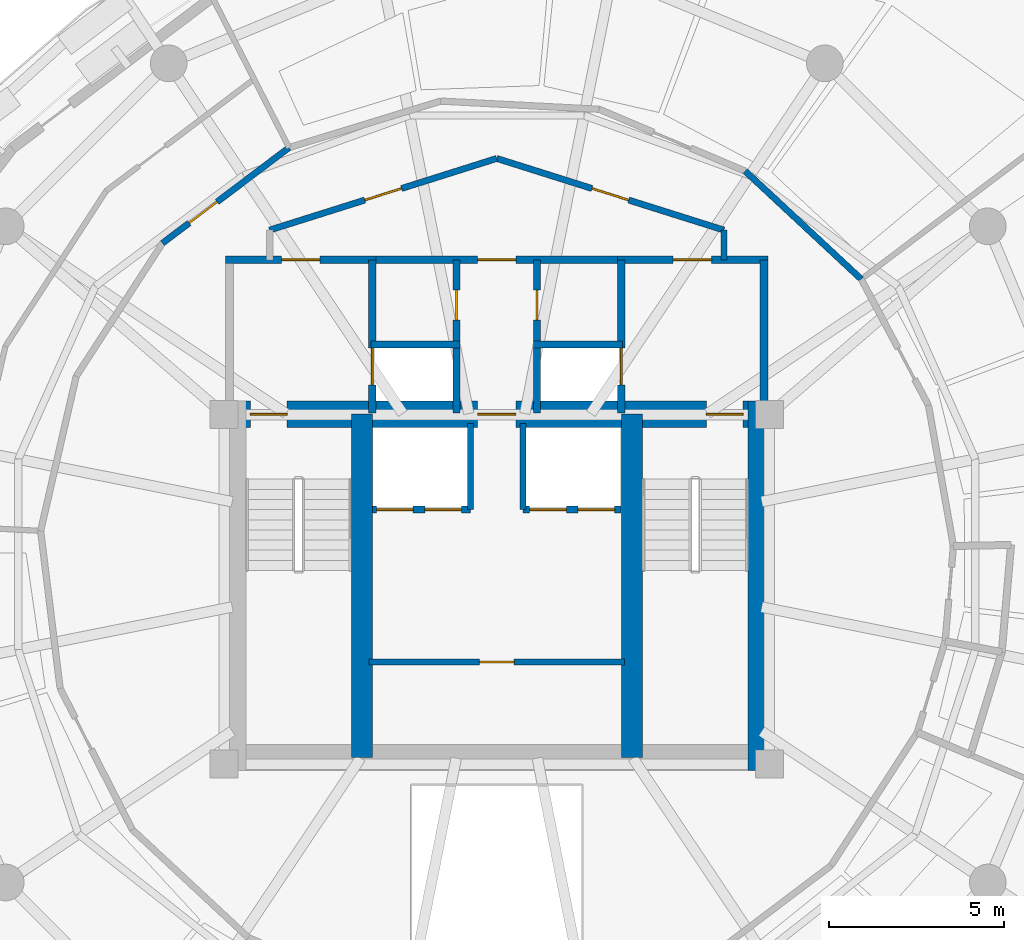
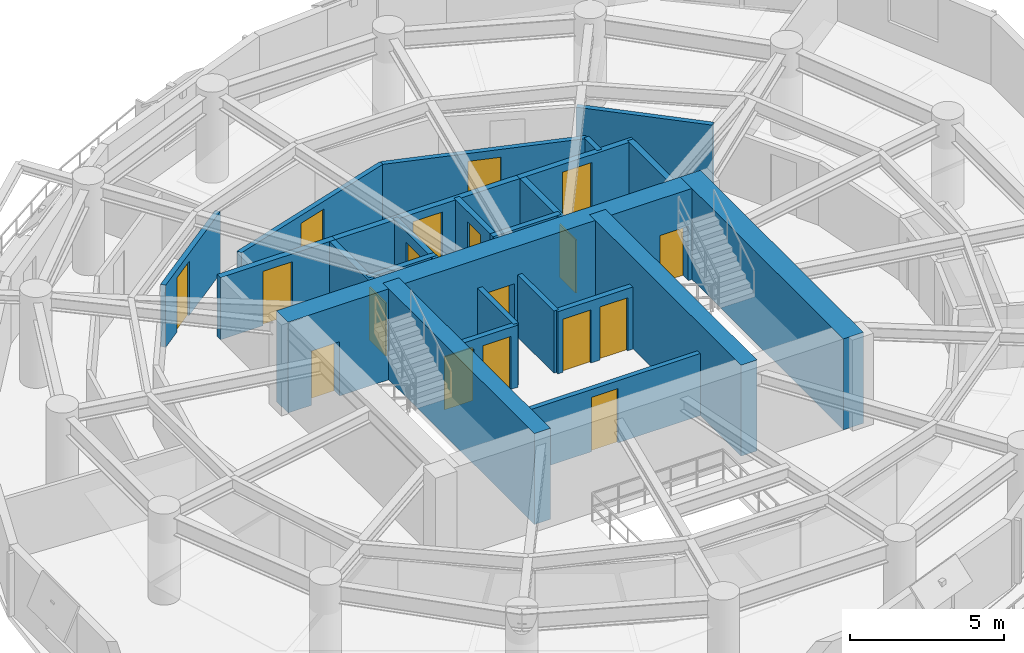
# One storey, part 8 of 12: 24 walls, 18 doors, 18 openings.
"""IFC4 building model written with IfcOpenShell, lengths in metres."""

import ifcopenshell
import ifcopenshell.guid

model = None  # the IFC model being written
_history = None  # IfcOwnerHistory: only IFC2X3 demands one
_inside = {}  # id of a spatial element -> (the spatial element, [elements in it])
_under = {}  # id of a project, library or spatial element -> (it, [spatial elements below it])
_declared = {}  # id of a project -> (the project, [libraries it declares])
_typed = {}  # id of a type object -> (the type object, [elements of that type])
_made_of = {}  # id of a material, layer set ... -> (it, [elements and type objects made of it])


def new_model(schema):
    """Start an empty IFC model of exactly this schema.

    Asked for "IFC4X3", IfcOpenShell would pick the latest addendum, in which some entities
    have other attributes; the version numbers below select the first issue.
    IFC2X3 requires an IfcOwnerHistory on every rooted entity: one is made here for all.
    """
    global model, _history
    if schema == "IFC4X3":
        model = ifcopenshell.file(schema_version=(4, 3, 0, 0))
    else:
        model = ifcopenshell.file(schema=schema)
    _inside.clear()
    _under.clear()
    _declared.clear()
    _typed.clear()
    _made_of.clear()
    _history = None
    if model.schema == "IFC2X3":
        org = make("IfcOrganization", Name="unknown")
        user = make(
            "IfcPersonAndOrganization",
            ThePerson=make("IfcPerson", FamilyName="unknown"),
            TheOrganization=org,
        )
        app = make(
            "IfcApplication",
            ApplicationDeveloper=org,
            Version="unknown",
            ApplicationFullName="unknown",
            ApplicationIdentifier="unknown",
        )
        _history = make(
            "IfcOwnerHistory",
            OwningUser=user,
            OwningApplication=app,
            ChangeAction="ADDED",
            CreationDate=0,
        )
    return model


def make(cls, **values):
    """One entity of the class cls with the attributes given. An attribute that is None is left unset."""
    return model.create_entity(
        cls, **{name: value for name, value in values.items() if value is not None}
    )


def rooted(cls, **values):
    """An entity with a GlobalId (a new one), such as an element, a storey or a relation."""
    return make(cls, GlobalId=ifcopenshell.guid.new(), OwnerHistory=_history, **values)


def si_unit(unit_type, name, prefix=None):
    """IfcSIUnit, for example si_unit("LENGTHUNIT", "METRE", prefix="MILLI")."""
    return make("IfcSIUnit", UnitType=unit_type, Prefix=prefix, Name=name)


def assignment(units):
    """IfcUnitAssignment: the units of a project."""
    return None if units is None else make("IfcUnitAssignment", Units=units)


def point(xyz):
    """IfcCartesianPoint."""
    return None if xyz is None else make("IfcCartesianPoint", Coordinates=xyz)


def direction(xyz):
    """IfcDirection."""
    return None if xyz is None else make("IfcDirection", DirectionRatios=xyz)


def frame(location, z_axis=None, x_axis=None):
    """IfcAxis2Placement3D, a coordinate frame: its origin and axes. An axis left out is left unset."""
    return make(
        "IfcAxis2Placement3D",
        Location=point(location),
        Axis=direction(z_axis),
        RefDirection=direction(x_axis),
    )


def frame_2d(location, x_axis=None):
    """IfcAxis2Placement2D, a coordinate frame in the plane: its origin and x axis."""
    return make(
        "IfcAxis2Placement2D", Location=point(location), RefDirection=direction(x_axis)
    )


def origin():
    """The frame at (0, 0, 0) with its axes left unset."""
    return frame((0.0, 0.0, 0.0))


def place(relative_to, where):
    """IfcLocalPlacement: puts the frame where relative to a parent placement (None: the world)."""
    return make(
        "IfcLocalPlacement", PlacementRelTo=relative_to, RelativePlacement=where
    )


def context(
    kind, dimensions, precision=None, world=None, true_north=None, identifier=None
):
    """IfcGeometricRepresentationContext, for example the 3D "Model" context."""
    return make(
        "IfcGeometricRepresentationContext",
        ContextIdentifier=identifier,
        ContextType=kind,
        CoordinateSpaceDimension=dimensions,
        Precision=precision,
        WorldCoordinateSystem=world,
        TrueNorth=true_north,
    )


def subcontext(parent, identifier, kind, view, scale=None):
    """IfcGeometricRepresentationSubContext, for example "Body" below "Model"."""
    return make(
        "IfcGeometricRepresentationSubContext",
        ContextIdentifier=identifier,
        ContextType=kind,
        ParentContext=parent,
        TargetScale=scale,
        TargetView=view,
    )


def project(units=None, contexts=None):
    """IfcProject with its units and contexts."""
    return rooted(
        "IfcProject",
        Name="project",
        RepresentationContexts=contexts,
        UnitsInContext=assignment(units),
    )


def spatial(cls, under=None, at=None, **own):
    """A site, building, storey or space (cls), placed at a placement, below another one or the project."""
    s = rooted(cls, ObjectPlacement=at, **own)
    if under is not None:
        _under.setdefault(under.id(), (under, []))[1].append(s)
    return s


def profile(cls, at=None, kind="AREA", **sizes):
    """A parametric profile (cls). Its sizes go by their IFC names, for example OverallWidth=200.0."""
    return make(cls, ProfileType=kind, Position=at, **sizes)


def rectangle(**sizes):
    """IfcRectangleProfileDef."""
    return profile("IfcRectangleProfileDef", **sizes)


def extrude(swept, where, along, depth):
    """IfcExtrudedAreaSolid: the profile swept, set in the frame where, extruded along a direction by depth."""
    return make(
        "IfcExtrudedAreaSolid",
        SweptArea=swept,
        Position=where,
        ExtrudedDirection=direction(along),
        Depth=depth,
    )


def shape(context_of_items, identifier, shape_type, items):
    """IfcShapeRepresentation: the items that make up one representation, for example the "Body"."""
    return make(
        "IfcShapeRepresentation",
        ContextOfItems=context_of_items,
        RepresentationIdentifier=identifier,
        RepresentationType=shape_type,
        Items=items,
    )


def material(Name=None, Category=None):
    """IfcMaterial."""
    return make("IfcMaterial", Name=Name, Category=Category)


def layer(
    of_material, thickness, ventilated=None, Name=None, Category=None, Priority=None
):
    """IfcMaterialLayer: one layer of a wall or slab, of a material (None: an air gap)."""
    return make(
        "IfcMaterialLayer",
        Material=of_material,
        LayerThickness=thickness,
        IsVentilated=ventilated,
        Name=Name,
        Category=Category,
        Priority=Priority,
    )


def layer_set(layers, Name=None):
    """IfcMaterialLayerSet."""
    return make("IfcMaterialLayerSet", MaterialLayers=layers, LayerSetName=Name)


def made_of(thing, what):
    """Note that an element or type object is made of a material, layer set ...; save() writes the relation."""
    if what is not None:
        _made_of.setdefault(what.id(), (what, []))[1].append(thing)
    return thing


def type_object(cls, material=None, **own):
    """A type object (cls), such as IfcWallType, which elements share."""
    return made_of(rooted(cls, **own), material)


def element(
    cls,
    number,
    at=None,
    inside=None,
    cuts=None,
    type_object=None,
    material=None,
    context=None,
    identifier="Body",
    shape_type=None,
    held_by="IfcProductDefinitionShape",
    body=None,
    shapes=None,
    **own,
):
    """One element of the class cls, such as IfcWall. Its Tag is "e" and its number.

    at: its placement. inside: the storey or other place that contains it. cuts: it is an
    opening in that element (IfcRelVoidsElement). A single representation is given by context,
    identifier, shape_type and body (its items); several are given by shapes. held_by: the class
    of the entity that holds the representations. save() writes the other relations.
    """
    e = rooted(cls, Tag="e%d" % number, ObjectPlacement=at, **own)
    if body is not None:
        shapes = [shape(context, identifier, shape_type, body)]
    if shapes is not None:
        e.Representation = make(held_by, Representations=shapes)
    if inside is not None:
        _inside.setdefault(inside.id(), (inside, []))[1].append(e)
    if cuts is not None:
        rooted(
            "IfcRelVoidsElement", RelatingBuildingElement=cuts, RelatedOpeningElement=e
        )
    if type_object is not None:
        _typed.setdefault(type_object.id(), (type_object, []))[1].append(e)
    return made_of(e, material)


def fill(opening, filler):
    """IfcRelFillsElement: the door or window that sits in an opening."""
    return rooted(
        "IfcRelFillsElement",
        RelatingOpeningElement=opening,
        RelatedBuildingElement=filler,
    )


def aggregate(whole, parts):
    """IfcRelAggregates: a whole, such as a stair, and the parts it consists of."""
    return rooted("IfcRelAggregates", RelatingObject=whole, RelatedObjects=parts)


def save(model, path):
    """Write the relations noted so far, then the file.

    IfcRelAggregates (storeys below a building ...), IfcRelContainedInSpatialStructure (elements
    in a storey), IfcRelDefinesByType, IfcRelAssociatesMaterial and IfcRelDeclares: one each for
    every whole, place, type object, material and project.
    """
    for whole, parts in _under.values():
        aggregate(whole, parts)
    for where, things in _inside.values():
        rooted(
            "IfcRelContainedInSpatialStructure",
            RelatedElements=things,
            RelatingStructure=where,
        )
    for kind, things in _typed.values():
        rooted("IfcRelDefinesByType", RelatedObjects=things, RelatingType=kind)
    for what, things in _made_of.values():
        rooted("IfcRelAssociatesMaterial", RelatedObjects=things, RelatingMaterial=what)
    for by, libraries in _declared.values():
        rooted("IfcRelDeclares", RelatingContext=by, RelatedDefinitions=libraries)
    model.write(path)


model = new_model("IFC4")

# Units and contexts
model_context = context("Model", 3, precision=1e-05, world=origin(), true_north=direction((0.0, 1.0)))
body_context = subcontext(model_context, "Body", "Model", "MODEL_VIEW")
ifc_project = project(units=[si_unit("LENGTHUNIT", "METRE"), si_unit("AREAUNIT", "SQUARE_METRE"), si_unit("VOLUMEUNIT", "CUBIC_METRE"), si_unit("PLANEANGLEUNIT", "RADIAN"), si_unit("MASSUNIT", "GRAM", prefix="KILO"), si_unit("THERMODYNAMICTEMPERATUREUNIT", "KELVIN"), si_unit("POWERUNIT", "WATT")], contexts=[model_context])

# Site, building, storey
site_placement = place(None, origin())
site = spatial("IfcSite", under=ifc_project, at=site_placement, CompositionType="ELEMENT")
building_placement = place(site_placement, origin())
building = spatial("IfcBuilding", under=site, at=building_placement, Name="Ocrelia Relay Tower", CompositionType="ELEMENT")
storey_placement = place(building_placement, frame((0.0, 0.0, 188.0)))
storey = spatial("IfcBuildingStorey", under=building, at=storey_placement, Name="L45", CompositionType="ELEMENT", Elevation=188.0)

# Wall, openings, doors
ifc_material_1 = material(Name="Concrete C60/75", Category="concrete")
ifc_layer_1 = layer(ifc_material_1, 0.75, Name="Concrete C60/75")
ifc_layer_set_1 = layer_set([ifc_layer_1], Name="Concrete C60/75")
wall_type_1 = type_object("IfcWallType", Name="CW-CORE-750", PredefinedType="SHEAR", material=ifc_layer_set_1)
wall_1_placement = place(storey_placement, frame((26.072021484375, 30.012939453125, 0.0), z_axis=(0.0, 0.0, 1.0), x_axis=(1.0, 0.0, 0.0)))
wall_1 = element("IfcWall", 1, at=wall_1_placement, inside=storey, type_object=wall_type_1, Name="L45 Core Shear Wall N", PredefinedType="SHEAR", context=body_context, shape_type="SweptSolid", body=[
    extrude(rectangle(XDim=15.865966796875, YDim=0.75, at=frame_2d((7.93310546875, 0.0))), origin(), (0.0, 0.0, 1.0), 3.60009765625),
])
opening_1_placement = place(wall_1_placement, frame((0.8779296875, 0.0, 0.0)))
opening_1 = element("IfcOpeningElement", 2, at=opening_1_placement, cuts=wall_1, Name="Opening D-FD90", PredefinedType="OPENING", context=body_context, shape_type="SweptSolid", body=[
    extrude(rectangle(XDim=1.050048828125, YDim=2.14990234375, at=frame_2d((0.52490234375, 1.074951171875))), frame((0.0, 0.385009765625, 0.0), z_axis=(0.0, -1.0, 0.0), x_axis=(1.0, 0.0, 0.0)), (0.0, 0.0, 1.0), 0.77001953125),
])
opening_2_placement = place(wall_1_placement, frame((13.927978515625, 0.0, 0.0)))
opening_2 = element("IfcOpeningElement", 3, at=opening_2_placement, cuts=wall_1, Name="Opening D-FD90", PredefinedType="OPENING", context=body_context, shape_type="SweptSolid", body=[
    extrude(rectangle(XDim=1.050048828125, YDim=2.14990234375, at=frame_2d((0.52490234375, 1.074951171875))), frame((0.0, 0.385009765625, 0.0), z_axis=(0.0, -1.0, 0.0), x_axis=(1.0, 0.0, 0.0)), (0.0, 0.0, 1.0), 0.77001953125),
])
opening_3_placement = place(wall_1_placement, frame((7.3779296875, 0.0, 0.0)))
opening_3 = element("IfcOpeningElement", 4, at=opening_3_placement, cuts=wall_1, Name="Opening D-FD60", PredefinedType="OPENING", context=body_context, shape_type="SweptSolid", body=[
    extrude(rectangle(XDim=1.10009765625, YDim=2.14990234375, at=frame_2d((0.550048828125, 1.074951171875))), frame((0.0, 0.385009765625, 0.0), z_axis=(0.0, -1.0, 0.0), x_axis=(1.0, 0.0, 0.0)), (0.0, 0.0, 1.0), 0.77001953125),
])
ifc_material_2 = material(Name="Timber-core 60-min acoustic fire door", Category="wood")
door_type_1 = type_object("IfcDoorType", Name="DR-LOBBY-FD60-1100", OperationType="NOTDEFINED", PredefinedType="DOOR", material=ifc_material_2)
door_1_placement = place(opening_3_placement, origin())
door_1 = element("IfcDoor", 5, at=door_1_placement, inside=storey, type_object=door_type_1, Name="L45 Core Lift Lobby North Fire Door", OperationType="SINGLE_SWING_LEFT", OverallHeight=2.14990234375, OverallWidth=1.10009765625, PredefinedType="DOOR", context=body_context, shape_type="SweptSolid", body=[
    extrude(rectangle(XDim=1.10009765625, YDim=2.14990234375, at=frame_2d((0.550048828125, 1.074951171875))), frame((0.0, 0.02490234375, 0.0), z_axis=(0.0, -1.0, 0.0), x_axis=(1.0, 0.0, 0.0)), (0.0, 0.0, 1.0), 0.050048828125),
])
fill(opening_3, door_1)
ifc_material_3 = material(Name="Steel S355 90-min fire door", Category="steel")
door_type_2 = type_object("IfcDoorType", Name="DR-STAIR-FD90-1050", OperationType="NOTDEFINED", PredefinedType="DOOR", material=ifc_material_3)
door_2_placement = place(opening_1_placement, origin())
door_2 = element("IfcDoor", 6, at=door_2_placement, inside=storey, type_object=door_type_2, Name="L45 Stair ST1 Fire Door", OperationType="SINGLE_SWING_LEFT", OverallHeight=2.14990234375, OverallWidth=1.050048828125, PredefinedType="DOOR", context=body_context, shape_type="SweptSolid", body=[
    extrude(rectangle(XDim=1.050048828125, YDim=2.14990234375, at=frame_2d((0.52490234375, 1.074951171875))), frame((0.0, 0.02490234375, 0.0), z_axis=(0.0, -1.0, 0.0), x_axis=(1.0, 0.0, 0.0)), (0.0, 0.0, 1.0), 0.050048828125),
])
fill(opening_1, door_2)
door_3_placement = place(opening_2_placement, origin())
door_3 = element("IfcDoor", 7, at=door_3_placement, inside=storey, type_object=door_type_2, Name="L45 Stair ST2 Fire Door", OperationType="SINGLE_SWING_RIGHT", OverallHeight=2.14990234375, OverallWidth=1.050048828125, PredefinedType="DOOR", context=body_context, shape_type="SweptSolid", body=[
    extrude(rectangle(XDim=1.050048828125, YDim=2.14990234375, at=frame_2d((0.52490234375, 1.074951171875))), frame((0.0, 0.02490234375, 0.0), z_axis=(0.0, -1.0, 0.0), x_axis=(1.0, 0.0, 0.0)), (0.0, 0.0, 1.0), 0.050048828125),
])
fill(opening_2, door_3)

# Walls
wall_2_placement = place(storey_placement, frame((41.56298828125, 19.81201171875, 0.0), z_axis=(0.0, 0.0, 1.0), x_axis=(0.0, 1.0, 0.0)))
element("IfcWall", 8, at=wall_2_placement, inside=storey, type_object=wall_type_1, Name="L45 Core Shear Wall E", PredefinedType="SHEAR", context=body_context, shape_type="SweptSolid", body=[
    extrude(rectangle(XDim=10.575927734375, YDim=0.75, at=frame_2d((5.2880859375, 0.0))), origin(), (0.0, 0.0, 1.0), 3.60009765625),
])
for number, where, z_axis, x_axis, name in (
    (9, (30.137939453125, 20.18701171875, 0.0), (0.0, 0.0, 1.0), (0.0, 1.0, 0.0), "L45 Core Shear Wall SPW"),
    (10, (37.8720703125, 20.18701171875, 0.0), (0.0, 0.0, 1.0), (0.0, 1.0, 0.0), "L45 Core Shear Wall SPE"),
):
    element("IfcWall", number, at=place(storey_placement, frame(where, z_axis=z_axis, x_axis=x_axis)), inside=storey, type_object=wall_type_1, Name=name, PredefinedType="SHEAR", context=body_context, shape_type="SweptSolid", body=[
        extrude(rectangle(XDim=9.825927734375, YDim=0.60009765625, at=frame_2d((4.9130859375, 0.0))), origin(), (0.0, 0.0, 1.0), 3.60009765625),
    ])

# Wall, opening, door
ifc_material_4 = material(Name="Gypsum Fireboard Partition EI60", Category="gypsum")
ifc_layer_2 = layer(ifc_material_4, 0.179931640625, Name="Gypsum Fireboard Partition EI60")
ifc_layer_set_2 = layer_set([ifc_layer_2], Name="Gypsum Fireboard Partition EI60")
wall_type_2 = type_object("IfcWallType", Name="W-CORR-EI60-180", PredefinedType="PARTITIONING", material=ifc_layer_set_2)
wall_3_placement = place(storey_placement, frame((30.35009765625, 22.919921875, 0.0), z_axis=(0.0, 0.0, 1.0), x_axis=(1.0, 0.0, 0.0)))
wall_3 = element("IfcWall", 11, at=wall_3_placement, inside=storey, type_object=wall_type_2, Name="L45 Reclaimed Core Room Partition", PredefinedType="PARTITIONING", context=body_context, shape_type="SweptSolid", body=[
    extrude(rectangle(XDim=7.2998046875, YDim=0.179931640625, at=frame_2d((3.64990234375, 0.0))), origin(), (0.0, 0.0, 1.0), 2.4599609375),
])
opening_4_placement = place(wall_3_placement, frame((3.14990234375, 0.0, 0.0)))
opening_4 = element("IfcOpeningElement", 12, at=opening_4_placement, cuts=wall_3, Name="Opening D-RM100", PredefinedType="OPENING", context=body_context, shape_type="SweptSolid", body=[
    extrude(rectangle(XDim=1.0, YDim=2.14990234375, at=frame_2d((0.5, 1.074951171875))), frame((0.0, 0.10009765625, 0.0), z_axis=(0.0, -1.0, 0.0), x_axis=(1.0, 0.0, 0.0)), (0.0, 0.0, 1.0), 0.199951171875),
])
ifc_material_5 = material(Name="Acoustic oak veneer fire door", Category="wood")
door_type_3 = type_object("IfcDoorType", Name="DR-ROOM-FD60-1000", OperationType="NOTDEFINED", PredefinedType="DOOR", material=ifc_material_5)
door_4_placement = place(opening_4_placement, origin())
door_4 = element("IfcDoor", 13, at=door_4_placement, inside=storey, type_object=door_type_3, Name="L45 Calibration Laboratory Door", OperationType="SINGLE_SWING_LEFT", OverallHeight=2.14990234375, OverallWidth=1.0, PredefinedType="DOOR", context=body_context, shape_type="SweptSolid", body=[
    extrude(rectangle(XDim=1.0, YDim=2.14990234375, at=frame_2d((0.5, 1.074951171875))), frame((0.0, 0.02490234375, 0.0), z_axis=(0.0, -1.0, 0.0), x_axis=(1.0, 0.0, 0.0)), (0.0, 0.0, 1.0), 0.050048828125),
])
fill(opening_4, door_4)

# Wall
wall_4_placement = place(storey_placement, frame((40.5, 35.280029296875, 0.0), z_axis=(0.0, 0.0, 1.0), x_axis=(0.0, -1.0, 0.0)))
element("IfcWall", 14, at=wall_4_placement, inside=storey, type_object=wall_type_2, Name="L45 Smoke Lobby East Return", PredefinedType="PARTITIONING", context=body_context, shape_type="SweptSolid", body=[
    extrude(rectangle(XDim=0.85009765625, YDim=0.179931640625, at=frame_2d((0.425048828125, 0.0))), origin(), (0.0, 0.0, 1.0), 2.4599609375),
])

# Wall, opening, door
wall_5_placement = place(storey_placement, frame((27.5, 35.280029296875, 0.0), z_axis=(0.0, 0.0, 1.0), x_axis=(0.953691418528, 0.300786765376, 0.0)))
wall_5 = element("IfcWall", 15, at=wall_5_placement, inside=storey, type_object=wall_type_2, Name="L45 North Smoke Lobby W Screen Wall", PredefinedType="PARTITIONING", context=body_context, shape_type="SweptSolid", body=[
    extrude(rectangle(XDim=6.815673828125, YDim=0.179931640625, at=frame_2d((3.40771484375, 0.0))), origin(), (0.0, 0.0, 1.0), 2.4599609375),
])
opening_5_placement = place(wall_5_placement, frame((2.85791015625, 0.0, 0.0)))
opening_5 = element("IfcOpeningElement", 16, at=opening_5_placement, cuts=wall_5, Name="Opening D-FD60", PredefinedType="OPENING", context=body_context, shape_type="SweptSolid", body=[
    extrude(rectangle(XDim=1.10009765625, YDim=2.14990234375, at=frame_2d((0.550048828125, 1.074951171875))), frame((0.0, 0.10009765625, 0.0), z_axis=(0.0, -1.0, 0.0), x_axis=(1.0, 0.0, 0.0)), (0.0, 0.0, 1.0), 0.199951171875),
])
door_5_placement = place(opening_5_placement, origin())
door_5 = element("IfcDoor", 17, at=door_5_placement, inside=storey, type_object=door_type_1, Name="L45 North Smoke Lobby W Fire Door", OperationType="SINGLE_SWING_RIGHT", OverallHeight=2.14990234375, OverallWidth=1.10009765625, PredefinedType="DOOR", context=body_context, shape_type="SweptSolid", body=[
    extrude(rectangle(XDim=1.10009765625, YDim=2.14990234375, at=frame_2d((0.550048828125, 1.074951171875))), frame((0.0, 0.02490234375, 0.0), z_axis=(0.0, -1.0, 0.0), x_axis=(1.0, 0.0, 0.0)), (0.0, 0.0, 1.0), 0.050048828125),
])
fill(opening_5, door_5)

wall_6_placement = place(storey_placement, frame((34.0, 37.330078125, 0.0), z_axis=(0.0, 0.0, 1.0), x_axis=(0.953691418528, -0.300786765376, 0.0)))
wall_6 = element("IfcWall", 18, at=wall_6_placement, inside=storey, type_object=wall_type_2, Name="L45 North Smoke Lobby E Screen Wall", PredefinedType="PARTITIONING", context=body_context, shape_type="SweptSolid", body=[
    extrude(rectangle(XDim=6.815673828125, YDim=0.179931640625, at=frame_2d((3.40771484375, 0.0))), origin(), (0.0, 0.0, 1.0), 2.4599609375),
])
opening_6_placement = place(wall_6_placement, frame((2.85791015625, 0.0, 0.0)))
opening_6 = element("IfcOpeningElement", 19, at=opening_6_placement, cuts=wall_6, Name="Opening D-FD60", PredefinedType="OPENING", context=body_context, shape_type="SweptSolid", body=[
    extrude(rectangle(XDim=1.10009765625, YDim=2.14990234375, at=frame_2d((0.550048828125, 1.074951171875))), frame((0.0, 0.10009765625, 0.0), z_axis=(0.0, -1.0, 0.0), x_axis=(1.0, 0.0, 0.0)), (0.0, 0.0, 1.0), 0.199951171875),
])
door_6_placement = place(opening_6_placement, origin())
door_6 = element("IfcDoor", 20, at=door_6_placement, inside=storey, type_object=door_type_1, Name="L45 North Smoke Lobby E Fire Door", OperationType="SINGLE_SWING_LEFT", OverallHeight=2.14990234375, OverallWidth=1.10009765625, PredefinedType="DOOR", context=body_context, shape_type="SweptSolid", body=[
    extrude(rectangle(XDim=1.10009765625, YDim=2.14990234375, at=frame_2d((0.550048828125, 1.074951171875))), frame((0.0, 0.02490234375, 0.0), z_axis=(0.0, -1.0, 0.0), x_axis=(1.0, 0.0, 0.0)), (0.0, 0.0, 1.0), 0.050048828125),
])
fill(opening_6, door_6)

# Wall
wall_7_placement = place(storey_placement, frame((44.431396484375, 33.874755859375, 0.0), z_axis=(0.0, 0.0, 1.0), x_axis=(-0.731959643507, 0.681347987652, 0.0)))
element("IfcWall", 21, at=wall_7_placement, inside=storey, type_object=wall_type_2, Name="L45 Cloud Engineering Workspace Corridor Partition 1", PredefinedType="PARTITIONING", context=body_context, shape_type="SweptSolid", body=[
    extrude(rectangle(XDim=4.539306640625, YDim=0.179931640625, at=frame_2d((2.26953125, 0.0))), origin(), (0.0, 0.0, 1.0), 2.4599609375),
])

# Wall, opening, door
wall_8_placement = place(storey_placement, frame((28.05615234375, 37.640380859375, 0.0), z_axis=(0.0, 0.0, 1.0), x_axis=(-0.798117902905, -0.602501297146, 0.0)))
wall_8 = element("IfcWall", 22, at=wall_8_placement, inside=storey, type_object=wall_type_2, Name="L45 Executive Reading Study Corridor Partition 1", PredefinedType="PARTITIONING", context=body_context, shape_type="SweptSolid", body=[
    extrude(rectangle(XDim=4.5390625, YDim=0.179931640625, at=frame_2d((2.26953125, 0.0))), origin(), (0.0, 0.0, 1.0), 2.4599609375),
])
opening_7_placement = place(wall_8_placement, frame((2.579345703125, 0.0, 0.0)))
opening_7 = element("IfcOpeningElement", 23, at=opening_7_placement, cuts=wall_8, Name="Opening D-RM100", PredefinedType="OPENING", context=body_context, shape_type="SweptSolid", body=[
    extrude(rectangle(XDim=1.0, YDim=2.14990234375, at=frame_2d((0.5, 1.074951171875))), frame((0.0, 0.10009765625, 0.0), z_axis=(0.0, -1.0, 0.0), x_axis=(1.0, 0.0, 0.0)), (0.0, 0.0, 1.0), 0.199951171875),
])
door_7_placement = place(opening_7_placement, origin())
door_7 = element("IfcDoor", 24, at=door_7_placement, inside=storey, type_object=door_type_3, Name="L45 Executive Reading Study Entrance Door", OperationType="SINGLE_SWING_RIGHT", OverallHeight=2.14990234375, OverallWidth=1.0, PredefinedType="DOOR", context=body_context, shape_type="SweptSolid", body=[
    extrude(rectangle(XDim=1.0, YDim=2.14990234375, at=frame_2d((0.5, 1.074951171875))), frame((0.0, 0.02490234375, 0.0), z_axis=(0.0, -1.0, 0.0), x_axis=(1.0, 0.0, 0.0)), (0.0, 0.0, 1.0), 0.050048828125),
])
fill(opening_7, door_7)

ifc_material_6 = material(Name="Concrete C50/60", Category="concrete")
ifc_layer_3 = layer(ifc_material_6, 0.219970703125, Name="Concrete C50/60")
ifc_layer_set_3 = layer_set([ifc_layer_3], Name="Concrete C50/60")
wall_type_3 = type_object("IfcWallType", Name="W-FFL-EI120-220", PredefinedType="SOLIDWALL", material=ifc_layer_set_3)
wall_9_placement = place(storey_placement, frame((30.43994140625, 30.050048828125, 0.0), z_axis=(0.0, 0.0, 1.0), x_axis=(0.0, 1.0, 0.0)))
wall_9 = element("IfcWall", 25, at=wall_9_placement, inside=storey, type_object=wall_type_3, Name="L45 W Fire Service Lift Lobby East Wall", PredefinedType="SOLIDWALL", context=body_context, shape_type="SweptSolid", body=[
    extrude(rectangle(XDim=4.3798828125, YDim=0.219970703125, at=frame_2d((2.18994140625, 0.0))), origin(), (0.0, 0.0, 1.0), 2.4599609375),
])
opening_8_placement = place(wall_9_placement, frame((0.800048828125, 0.0, 0.0)))
opening_8 = element("IfcOpeningElement", 26, at=opening_8_placement, cuts=wall_9, Name="Opening LD-FFL1", PredefinedType="OPENING", context=body_context, shape_type="SweptSolid", body=[
    extrude(rectangle(XDim=1.050048828125, YDim=2.10009765625, at=frame_2d((0.52490234375, 1.050048828125))), frame((0.0, 0.1201171875, 0.0), z_axis=(0.0, -1.0, 0.0), x_axis=(1.0, 0.0, 0.0)), (0.0, 0.0, 1.0), 0.239990234375),
])
ifc_material_7 = material(Name="Brushed stainless steel S355 lift landing door", Category="steel")
door_type_4 = type_object("IfcDoorType", Name="DR-LIFT-LAND-1050", OperationType="DOUBLE_DOOR_SLIDING", PredefinedType="USERDEFINED", material=ifc_material_7)
door_8_placement = place(opening_8_placement, origin())
door_8 = element("IfcDoor", 27, at=door_8_placement, inside=storey, type_object=door_type_4, Name="L45 Firefighting Lift FFL1 Sliding Landing Door", ObjectType="LANDING DOOR", OperationType="DOUBLE_DOOR_SLIDING", OverallHeight=2.10009765625, OverallWidth=1.050048828125, PredefinedType="USERDEFINED", context=body_context, shape_type="SweptSolid", body=[
    extrude(rectangle(XDim=1.050048828125, YDim=2.10009765625, at=frame_2d((0.52490234375, 1.050048828125))), frame((0.0, 0.02490234375, 0.0), z_axis=(0.0, -1.0, 0.0), x_axis=(1.0, 0.0, 0.0)), (0.0, 0.0, 1.0), 0.050048828125),
])
fill(opening_8, door_8)

wall_10_placement = place(storey_placement, frame((26.239990234375, 34.429931640625, 0.0), z_axis=(0.0, 0.0, 1.0), x_axis=(1.0, 0.0, 0.0)))
wall_10 = element("IfcWall", 28, at=wall_10_placement, inside=storey, type_object=wall_type_3, Name="L45 W Fire Service Lift Lobby North Wall", PredefinedType="SOLIDWALL", context=body_context, shape_type="SweptSolid", body=[
    extrude(rectangle(XDim=4.31005859375, YDim=0.219970703125, at=frame_2d((2.155029296875, 0.0))), origin(), (0.0, 0.0, 1.0), 2.4599609375),
])
opening_9_placement = place(wall_10_placement, frame((1.60009765625, 0.0, 0.0)))
opening_9 = element("IfcOpeningElement", 29, at=opening_9_placement, cuts=wall_10, Name="Opening D-FD60", PredefinedType="OPENING", context=body_context, shape_type="SweptSolid", body=[
    extrude(rectangle(XDim=1.10009765625, YDim=2.14990234375, at=frame_2d((0.550048828125, 1.074951171875))), frame((0.0, 0.1201171875, 0.0), z_axis=(0.0, -1.0, 0.0), x_axis=(1.0, 0.0, 0.0)), (0.0, 0.0, 1.0), 0.239990234375),
])
door_9_placement = place(opening_9_placement, origin())
door_9 = element("IfcDoor", 30, at=door_9_placement, inside=storey, type_object=door_type_1, Name="L45 W Fire Service Lift Lobby Exit Door", OperationType="SINGLE_SWING_RIGHT", OverallHeight=2.14990234375, OverallWidth=1.10009765625, PredefinedType="DOOR", context=body_context, shape_type="SweptSolid", body=[
    extrude(rectangle(XDim=1.10009765625, YDim=2.14990234375, at=frame_2d((0.550048828125, 1.074951171875))), frame((0.0, 0.02490234375, 0.0), z_axis=(0.0, -1.0, 0.0), x_axis=(1.0, 0.0, 0.0)), (0.0, 0.0, 1.0), 0.050048828125),
])
fill(opening_9, door_9)

wall_11_placement = place(storey_placement, frame((37.56005859375, 30.050048828125, 0.0), z_axis=(0.0, 0.0, 1.0), x_axis=(0.0, 1.0, 0.0)))
wall_11 = element("IfcWall", 31, at=wall_11_placement, inside=storey, type_object=wall_type_3, Name="L45 E Fire Service Lift Lobby West Wall", PredefinedType="SOLIDWALL", context=body_context, shape_type="SweptSolid", body=[
    extrude(rectangle(XDim=4.3798828125, YDim=0.219970703125, at=frame_2d((2.18994140625, 0.0))), origin(), (0.0, 0.0, 1.0), 2.4599609375),
])
opening_10_placement = place(wall_11_placement, frame((0.800048828125, 0.0, 0.0)))
opening_10 = element("IfcOpeningElement", 32, at=opening_10_placement, cuts=wall_11, Name="Opening LD-FFL2", PredefinedType="OPENING", context=body_context, shape_type="SweptSolid", body=[
    extrude(rectangle(XDim=1.050048828125, YDim=2.10009765625, at=frame_2d((0.52490234375, 1.050048828125))), frame((0.0, 0.1201171875, 0.0), z_axis=(0.0, -1.0, 0.0), x_axis=(1.0, 0.0, 0.0)), (0.0, 0.0, 1.0), 0.239990234375),
])
door_10_placement = place(opening_10_placement, origin())
door_10 = element("IfcDoor", 33, at=door_10_placement, inside=storey, type_object=door_type_4, Name="L45 Firefighting Lift FFL2 Sliding Landing Door", ObjectType="LANDING DOOR", OperationType="DOUBLE_DOOR_SLIDING", OverallHeight=2.10009765625, OverallWidth=1.050048828125, PredefinedType="USERDEFINED", context=body_context, shape_type="SweptSolid", body=[
    extrude(rectangle(XDim=1.050048828125, YDim=2.10009765625, at=frame_2d((0.52490234375, 1.050048828125))), frame((0.0, 0.02490234375, 0.0), z_axis=(0.0, -1.0, 0.0), x_axis=(1.0, 0.0, 0.0)), (0.0, 0.0, 1.0), 0.050048828125),
])
fill(opening_10, door_10)

# Wall
wall_12_placement = place(storey_placement, frame((41.64990234375, 30.050048828125, 0.0), z_axis=(0.0, 0.0, 1.0), x_axis=(0.0, 1.0, 0.0)))
element("IfcWall", 34, at=wall_12_placement, inside=storey, type_object=wall_type_3, Name="L45 E Fire Service Lift Lobby East Wall", PredefinedType="SOLIDWALL", context=body_context, shape_type="SweptSolid", body=[
    extrude(rectangle(XDim=4.3798828125, YDim=0.219970703125, at=frame_2d((2.18994140625, 0.0))), origin(), (0.0, 0.0, 1.0), 2.4599609375),
])

# Wall, opening, door
wall_13_placement = place(storey_placement, frame((37.449951171875, 34.429931640625, 0.0), z_axis=(0.0, 0.0, 1.0), x_axis=(1.0, 0.0, 0.0)))
wall_13 = element("IfcWall", 35, at=wall_13_placement, inside=storey, type_object=wall_type_3, Name="L45 E Fire Service Lift Lobby North Wall", PredefinedType="SOLIDWALL", context=body_context, shape_type="SweptSolid", body=[
    extrude(rectangle(XDim=4.31005859375, YDim=0.219970703125, at=frame_2d((2.155029296875, 0.0))), origin(), (0.0, 0.0, 1.0), 2.4599609375),
])
opening_11_placement = place(wall_13_placement, frame((1.60009765625, 0.0, 0.0)))
opening_11 = element("IfcOpeningElement", 36, at=opening_11_placement, cuts=wall_13, Name="Opening D-FD60", PredefinedType="OPENING", context=body_context, shape_type="SweptSolid", body=[
    extrude(rectangle(XDim=1.10009765625, YDim=2.14990234375, at=frame_2d((0.550048828125, 1.074951171875))), frame((0.0, 0.1201171875, 0.0), z_axis=(0.0, -1.0, 0.0), x_axis=(1.0, 0.0, 0.0)), (0.0, 0.0, 1.0), 0.239990234375),
])
door_11_placement = place(opening_11_placement, origin())
door_11 = element("IfcDoor", 37, at=door_11_placement, inside=storey, type_object=door_type_1, Name="L45 E Fire Service Lift Lobby Exit Door", OperationType="SINGLE_SWING_RIGHT", OverallHeight=2.14990234375, OverallWidth=1.10009765625, PredefinedType="DOOR", context=body_context, shape_type="SweptSolid", body=[
    extrude(rectangle(XDim=1.10009765625, YDim=2.14990234375, at=frame_2d((0.550048828125, 1.074951171875))), frame((0.0, 0.02490234375, 0.0), z_axis=(0.0, -1.0, 0.0), x_axis=(1.0, 0.0, 0.0)), (0.0, 0.0, 1.0), 0.050048828125),
])
fill(opening_11, door_11)

wall_14_placement = place(storey_placement, frame((30.43994140625, 34.429931640625, 0.0), z_axis=(0.0, 0.0, 1.0), x_axis=(1.0, 0.0, 0.0)))
wall_14 = element("IfcWall", 38, at=wall_14_placement, inside=storey, type_object=wall_type_3, Name="L45 North Core Vestibule Wall", PredefinedType="SOLIDWALL", context=body_context, shape_type="SweptSolid", body=[
    extrude(rectangle(XDim=7.1201171875, YDim=0.219970703125, at=frame_2d((3.56005859375, 0.0))), origin(), (0.0, 0.0, 1.0), 2.4599609375),
])
opening_12_placement = place(wall_14_placement, frame((3.010009765625, 0.0, 0.0)))
opening_12 = element("IfcOpeningElement", 39, at=opening_12_placement, cuts=wall_14, Name="Opening D-FD60", PredefinedType="OPENING", context=body_context, shape_type="SweptSolid", body=[
    extrude(rectangle(XDim=1.10009765625, YDim=2.14990234375, at=frame_2d((0.550048828125, 1.074951171875))), frame((0.0, 0.1201171875, 0.0), z_axis=(0.0, -1.0, 0.0), x_axis=(1.0, 0.0, 0.0)), (0.0, 0.0, 1.0), 0.239990234375),
])
door_12_placement = place(opening_12_placement, origin())
door_12 = element("IfcDoor", 40, at=door_12_placement, inside=storey, type_object=door_type_1, Name="L45 North Core Vestibule Corridor Door", OperationType="SINGLE_SWING_RIGHT", OverallHeight=2.14990234375, OverallWidth=1.10009765625, PredefinedType="DOOR", context=body_context, shape_type="SweptSolid", body=[
    extrude(rectangle(XDim=1.10009765625, YDim=2.14990234375, at=frame_2d((0.550048828125, 1.074951171875))), frame((0.0, 0.02490234375, 0.0), z_axis=(0.0, -1.0, 0.0), x_axis=(1.0, 0.0, 0.0)), (0.0, 0.0, 1.0), 0.050048828125),
])
fill(opening_12, door_12)

# Wall
ifc_layer_4 = layer(ifc_material_6, 0.199951171875, Name="Concrete C50/60")
ifc_layer_set_4 = layer_set([ifc_layer_4], Name="Concrete C50/60")
wall_type_4 = type_object("IfcWallType", Name="W-SHAFT-EI120-200", PredefinedType="SOLIDWALL", material=ifc_layer_set_4)
wall_15_placement = place(storey_placement, frame((30.39990234375, 32.0, 0.0), z_axis=(0.0, 0.0, 1.0), x_axis=(1.0, 0.0, 0.0)))
element("IfcWall", 41, at=wall_15_placement, inside=storey, type_object=wall_type_4, Name="L45 FFL1 Hoistway North Wall", PredefinedType="SOLIDWALL", context=body_context, shape_type="SweptSolid", body=[
    extrude(rectangle(XDim=2.550048828125, YDim=0.199951171875, at=frame_2d((1.27490234375, 0.0))), origin(), (0.0, 0.0, 1.0), 2.4599609375),
])

# Wall, opening, door
wall_16_placement = place(storey_placement, frame((32.85009765625, 30.050048828125, 0.0), z_axis=(0.0, 0.0, 1.0), x_axis=(0.0, 1.0, 0.0)))
wall_16 = element("IfcWall", 42, at=wall_16_placement, inside=storey, type_object=wall_type_4, Name="L45 FFL1 and Service Vestibule Wall", PredefinedType="SOLIDWALL", context=body_context, shape_type="SweptSolid", body=[
    extrude(rectangle(XDim=4.3798828125, YDim=0.199951171875, at=frame_2d((2.18994140625, 0.0))), origin(), (0.0, 0.0, 1.0), 2.4599609375),
])
opening_13_placement = place(wall_16_placement, frame((2.64990234375, 0.0, 0.0)))
opening_13 = element("IfcOpeningElement", 43, at=opening_13_placement, cuts=wall_16, Name="Opening D-RS86", PredefinedType="OPENING", context=body_context, shape_type="SweptSolid", body=[
    extrude(rectangle(XDim=0.860107421875, YDim=2.050048828125, at=frame_2d((0.43017578125, 1.02490234375))), frame((0.0, 0.10986328125, 0.0), z_axis=(0.0, -1.0, 0.0), x_axis=(1.0, 0.0, 0.0)), (0.0, 0.0, 1.0), 0.219970703125),
])
ifc_material_8 = material(Name="Steel S355 riser access fire door", Category="steel")
door_type_5 = type_object("IfcDoorType", Name="DR-RISER-TRAP-860", OperationType="NOTDEFINED", PredefinedType="TRAPDOOR", material=ifc_material_8)
door_13_placement = place(opening_13_placement, origin())
door_13 = element("IfcDoor", 44, at=door_13_placement, inside=storey, type_object=door_type_5, Name="L45 Core Support Room W Door", OperationType="SINGLE_SWING_LEFT", OverallHeight=2.050048828125, OverallWidth=0.860107421875, PredefinedType="TRAPDOOR", context=body_context, shape_type="SweptSolid", body=[
    extrude(rectangle(XDim=0.860107421875, YDim=2.050048828125, at=frame_2d((0.43017578125, 1.02490234375))), frame((0.0, 0.02490234375, 0.0), z_axis=(0.0, -1.0, 0.0), x_axis=(1.0, 0.0, 0.0)), (0.0, 0.0, 1.0), 0.050048828125),
])
fill(opening_13, door_13)

# Wall
wall_17_placement = place(storey_placement, frame((35.050048828125, 32.0, 0.0), z_axis=(0.0, 0.0, 1.0), x_axis=(1.0, 0.0, 0.0)))
element("IfcWall", 45, at=wall_17_placement, inside=storey, type_object=wall_type_4, Name="L45 FFL2 Hoistway North Wall", PredefinedType="SOLIDWALL", context=body_context, shape_type="SweptSolid", body=[
    extrude(rectangle(XDim=2.550048828125, YDim=0.199951171875, at=frame_2d((1.27490234375, 0.0))), origin(), (0.0, 0.0, 1.0), 2.4599609375),
])

# Wall, opening, door
wall_18_placement = place(storey_placement, frame((35.14990234375, 30.050048828125, 0.0), z_axis=(0.0, 0.0, 1.0), x_axis=(0.0, 1.0, 0.0)))
wall_18 = element("IfcWall", 46, at=wall_18_placement, inside=storey, type_object=wall_type_4, Name="L45 FFL2 and Service Vestibule Wall", PredefinedType="SOLIDWALL", context=body_context, shape_type="SweptSolid", body=[
    extrude(rectangle(XDim=4.3798828125, YDim=0.199951171875, at=frame_2d((2.18994140625, 0.0))), origin(), (0.0, 0.0, 1.0), 2.4599609375),
])
opening_14_placement = place(wall_18_placement, frame((2.64990234375, 0.0, 0.0)))
opening_14 = element("IfcOpeningElement", 47, at=opening_14_placement, cuts=wall_18, Name="Opening D-RS86", PredefinedType="OPENING", context=body_context, shape_type="SweptSolid", body=[
    extrude(rectangle(XDim=0.860107421875, YDim=2.050048828125, at=frame_2d((0.43017578125, 1.02490234375))), frame((0.0, 0.10986328125, 0.0), z_axis=(0.0, -1.0, 0.0), x_axis=(1.0, 0.0, 0.0)), (0.0, 0.0, 1.0), 0.219970703125),
])
door_14_placement = place(opening_14_placement, origin())
door_14 = element("IfcDoor", 48, at=door_14_placement, inside=storey, type_object=door_type_5, Name="L45 Core Support Room E Door", OperationType="SINGLE_SWING_LEFT", OverallHeight=2.050048828125, OverallWidth=0.860107421875, PredefinedType="TRAPDOOR", context=body_context, shape_type="SweptSolid", body=[
    extrude(rectangle(XDim=0.860107421875, YDim=2.050048828125, at=frame_2d((0.43017578125, 1.02490234375))), frame((0.0, 0.02490234375, 0.0), z_axis=(0.0, -1.0, 0.0), x_axis=(1.0, 0.0, 0.0)), (0.0, 0.0, 1.0), 0.050048828125),
])
fill(opening_14, door_14)

# Wall, openings, doors
wall_19_placement = place(storey_placement, frame((30.43994140625, 27.280029296875, 0.0), z_axis=(0.0, 0.0, 1.0), x_axis=(1.0, 0.0, 0.0)))
wall_19 = element("IfcWall", 49, at=wall_19_placement, inside=storey, type_object=wall_type_4, Name="L45 High-Rise Lift Hoistway Wall W", PredefinedType="SOLIDWALL", context=body_context, shape_type="SweptSolid", body=[
    extrude(rectangle(XDim=2.81005859375, YDim=0.199951171875, at=frame_2d((1.405029296875, 0.0))), origin(), (0.0, 0.0, 1.0), 2.4599609375),
])
opening_15_placement = place(wall_19_placement, frame((0.1201171875, 0.0, 0.0)))
opening_15 = element("IfcOpeningElement", 50, at=opening_15_placement, cuts=wall_19, Name="Opening LD-PL5", PredefinedType="OPENING", context=body_context, shape_type="SweptSolid", body=[
    extrude(rectangle(XDim=1.050048828125, YDim=2.10009765625, at=frame_2d((0.52490234375, 1.050048828125))), frame((0.0, 0.10986328125, 0.0), z_axis=(0.0, -1.0, 0.0), x_axis=(1.0, 0.0, 0.0)), (0.0, 0.0, 1.0), 0.219970703125),
])
opening_16_placement = place(wall_19_placement, frame((1.5, 0.0, 0.0)))
opening_16 = element("IfcOpeningElement", 51, at=opening_16_placement, cuts=wall_19, Name="Opening LD-PL6", PredefinedType="OPENING", context=body_context, shape_type="SweptSolid", body=[
    extrude(rectangle(XDim=1.050048828125, YDim=2.10009765625, at=frame_2d((0.52490234375, 1.050048828125))), frame((0.0, 0.10986328125, 0.0), z_axis=(0.0, -1.0, 0.0), x_axis=(1.0, 0.0, 0.0)), (0.0, 0.0, 1.0), 0.219970703125),
])
door_15_placement = place(opening_15_placement, origin())
door_15 = element("IfcDoor", 52, at=door_15_placement, inside=storey, type_object=door_type_4, Name="L45 High-Rise Lift PL5 Sliding Landing Door", ObjectType="LANDING DOOR", OperationType="DOUBLE_DOOR_SLIDING", OverallHeight=2.10009765625, OverallWidth=1.050048828125, PredefinedType="USERDEFINED", context=body_context, shape_type="SweptSolid", body=[
    extrude(rectangle(XDim=1.050048828125, YDim=2.10009765625, at=frame_2d((0.52490234375, 1.050048828125))), frame((0.0, 0.02490234375, 0.0), z_axis=(0.0, -1.0, 0.0), x_axis=(1.0, 0.0, 0.0)), (0.0, 0.0, 1.0), 0.050048828125),
])
fill(opening_15, door_15)
door_16_placement = place(opening_16_placement, origin())
door_16 = element("IfcDoor", 53, at=door_16_placement, inside=storey, type_object=door_type_4, Name="L45 High-Rise Lift PL6 Sliding Landing Door", ObjectType="LANDING DOOR", OperationType="DOUBLE_DOOR_SLIDING", OverallHeight=2.10009765625, OverallWidth=1.050048828125, PredefinedType="USERDEFINED", context=body_context, shape_type="SweptSolid", body=[
    extrude(rectangle(XDim=1.050048828125, YDim=2.10009765625, at=frame_2d((0.52490234375, 1.050048828125))), frame((0.0, 0.02490234375, 0.0), z_axis=(0.0, -1.0, 0.0), x_axis=(1.0, 0.0, 0.0)), (0.0, 0.0, 1.0), 0.050048828125),
])
fill(opening_16, door_16)

# Wall
wall_20_placement = place(storey_placement, frame((33.25, 27.280029296875, 0.0), z_axis=(0.0, 0.0, 1.0), x_axis=(0.0, 1.0, 0.0)))
element("IfcWall", 54, at=wall_20_placement, inside=storey, type_object=wall_type_4, Name="L45 High-Rise Lift Throat Wall W", PredefinedType="SOLIDWALL", context=body_context, shape_type="SweptSolid", body=[
    extrude(rectangle(XDim=2.469970703125, YDim=0.179931640625, at=frame_2d((1.23486328125, 0.0))), origin(), (0.0, 0.0, 1.0), 2.4599609375),
])

# Wall, openings, doors
wall_21_placement = place(storey_placement, frame((34.75, 27.280029296875, 0.0), z_axis=(0.0, 0.0, 1.0), x_axis=(1.0, 0.0, 0.0)))
wall_21 = element("IfcWall", 55, at=wall_21_placement, inside=storey, type_object=wall_type_4, Name="L45 High-Rise Lift Hoistway Wall E", PredefinedType="SOLIDWALL", context=body_context, shape_type="SweptSolid", body=[
    extrude(rectangle(XDim=2.81005859375, YDim=0.199951171875, at=frame_2d((1.405029296875, 0.0))), origin(), (0.0, 0.0, 1.0), 2.4599609375),
])
opening_17_placement = place(wall_21_placement, frame((0.18994140625, 0.0, 0.0)))
opening_17 = element("IfcOpeningElement", 56, at=opening_17_placement, cuts=wall_21, Name="Opening LD-PL7", PredefinedType="OPENING", context=body_context, shape_type="SweptSolid", body=[
    extrude(rectangle(XDim=1.050048828125, YDim=2.10009765625, at=frame_2d((0.52490234375, 1.050048828125))), frame((0.0, 0.10986328125, 0.0), z_axis=(0.0, -1.0, 0.0), x_axis=(1.0, 0.0, 0.0)), (0.0, 0.0, 1.0), 0.219970703125),
])
opening_18_placement = place(wall_21_placement, frame((1.570068359375, 0.0, 0.0)))
opening_18 = element("IfcOpeningElement", 57, at=opening_18_placement, cuts=wall_21, Name="Opening LD-PL8", PredefinedType="OPENING", context=body_context, shape_type="SweptSolid", body=[
    extrude(rectangle(XDim=1.050048828125, YDim=2.10009765625, at=frame_2d((0.52490234375, 1.050048828125))), frame((0.0, 0.10986328125, 0.0), z_axis=(0.0, -1.0, 0.0), x_axis=(1.0, 0.0, 0.0)), (0.0, 0.0, 1.0), 0.219970703125),
])
door_17_placement = place(opening_17_placement, origin())
door_17 = element("IfcDoor", 58, at=door_17_placement, inside=storey, type_object=door_type_4, Name="L45 High-Rise Lift PL7 Sliding Landing Door", ObjectType="LANDING DOOR", OperationType="DOUBLE_DOOR_SLIDING", OverallHeight=2.10009765625, OverallWidth=1.050048828125, PredefinedType="USERDEFINED", context=body_context, shape_type="SweptSolid", body=[
    extrude(rectangle(XDim=1.050048828125, YDim=2.10009765625, at=frame_2d((0.52490234375, 1.050048828125))), frame((0.0, 0.02490234375, 0.0), z_axis=(0.0, -1.0, 0.0), x_axis=(1.0, 0.0, 0.0)), (0.0, 0.0, 1.0), 0.050048828125),
])
fill(opening_17, door_17)
door_18_placement = place(opening_18_placement, origin())
door_18 = element("IfcDoor", 59, at=door_18_placement, inside=storey, type_object=door_type_4, Name="L45 High-Rise Lift PL8 Sliding Landing Door", ObjectType="LANDING DOOR", OperationType="DOUBLE_DOOR_SLIDING", OverallHeight=2.10009765625, OverallWidth=1.050048828125, PredefinedType="USERDEFINED", context=body_context, shape_type="SweptSolid", body=[
    extrude(rectangle(XDim=1.050048828125, YDim=2.10009765625, at=frame_2d((0.52490234375, 1.050048828125))), frame((0.0, 0.02490234375, 0.0), z_axis=(0.0, -1.0, 0.0), x_axis=(1.0, 0.0, 0.0)), (0.0, 0.0, 1.0), 0.050048828125),
])
fill(opening_18, door_18)

# Wall
wall_22_placement = place(storey_placement, frame((34.75, 27.280029296875, 0.0), z_axis=(0.0, 0.0, 1.0), x_axis=(0.0, 1.0, 0.0)))
element("IfcWall", 60, at=wall_22_placement, inside=storey, type_object=wall_type_4, Name="L45 High-Rise Lift Throat Wall E", PredefinedType="SOLIDWALL", context=body_context, shape_type="SweptSolid", body=[
    extrude(rectangle(XDim=2.469970703125, YDim=0.179931640625, at=frame_2d((1.23486328125, 0.0))), origin(), (0.0, 0.0, 1.0), 2.4599609375),
])

save(model, "model.ifc")
